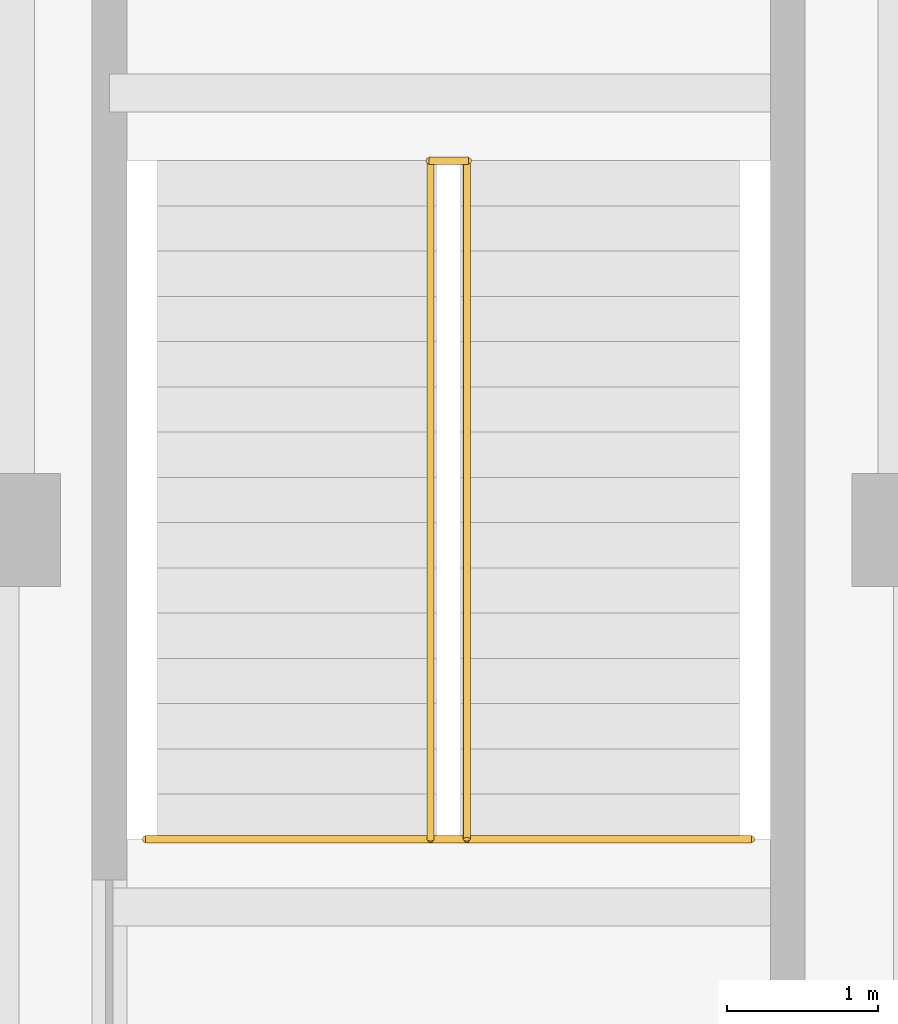
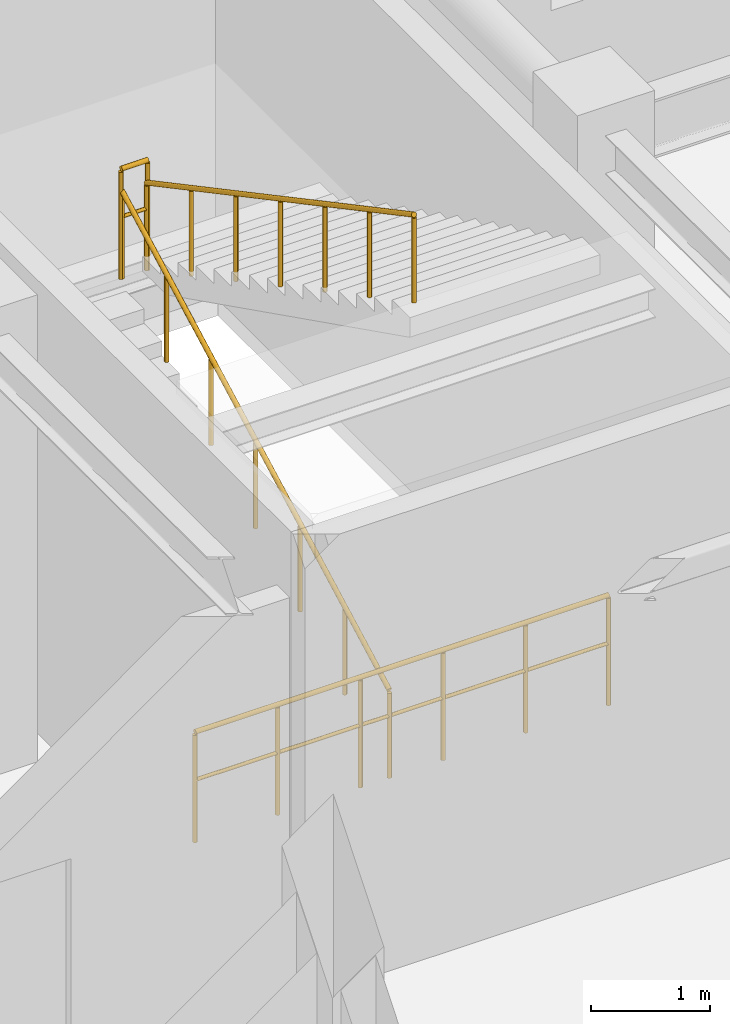
# One storey, part 75 of 76: 4 railings.
"""IFC4 building model written with IfcOpenShell, lengths in metres."""

import ifcopenshell
import ifcopenshell.guid

model = None  # the IFC model being written
_history = None  # IfcOwnerHistory: only IFC2X3 demands one
_inside = {}  # id of a spatial element -> (the spatial element, [elements in it])
_under = {}  # id of a project, library or spatial element -> (it, [spatial elements below it])
_declared = {}  # id of a project -> (the project, [libraries it declares])
_typed = {}  # id of a type object -> (the type object, [elements of that type])
_made_of = {}  # id of a material, layer set ... -> (it, [elements and type objects made of it])


def new_model(schema):
    """Start an empty IFC model of exactly this schema.

    Asked for "IFC4X3", IfcOpenShell would pick the latest addendum, in which some entities
    have other attributes; the version numbers below select the first issue.
    IFC2X3 requires an IfcOwnerHistory on every rooted entity: one is made here for all.
    """
    global model, _history
    if schema == "IFC4X3":
        model = ifcopenshell.file(schema_version=(4, 3, 0, 0))
    else:
        model = ifcopenshell.file(schema=schema)
    _inside.clear()
    _under.clear()
    _declared.clear()
    _typed.clear()
    _made_of.clear()
    _history = None
    if model.schema == "IFC2X3":
        org = make("IfcOrganization", Name="unknown")
        user = make(
            "IfcPersonAndOrganization",
            ThePerson=make("IfcPerson", FamilyName="unknown"),
            TheOrganization=org,
        )
        app = make(
            "IfcApplication",
            ApplicationDeveloper=org,
            Version="unknown",
            ApplicationFullName="unknown",
            ApplicationIdentifier="unknown",
        )
        _history = make(
            "IfcOwnerHistory",
            OwningUser=user,
            OwningApplication=app,
            ChangeAction="ADDED",
            CreationDate=0,
        )
    return model


def make(cls, **values):
    """One entity of the class cls with the attributes given. An attribute that is None is left unset."""
    return model.create_entity(
        cls, **{name: value for name, value in values.items() if value is not None}
    )


def rooted(cls, **values):
    """An entity with a GlobalId (a new one), such as an element, a storey or a relation."""
    return make(cls, GlobalId=ifcopenshell.guid.new(), OwnerHistory=_history, **values)


def si_unit(unit_type, name, prefix=None):
    """IfcSIUnit, for example si_unit("LENGTHUNIT", "METRE", prefix="MILLI")."""
    return make("IfcSIUnit", UnitType=unit_type, Prefix=prefix, Name=name)


def assignment(units):
    """IfcUnitAssignment: the units of a project."""
    return None if units is None else make("IfcUnitAssignment", Units=units)


def point(xyz):
    """IfcCartesianPoint."""
    return None if xyz is None else make("IfcCartesianPoint", Coordinates=xyz)


def direction(xyz):
    """IfcDirection."""
    return None if xyz is None else make("IfcDirection", DirectionRatios=xyz)


def frame(location, z_axis=None, x_axis=None):
    """IfcAxis2Placement3D, a coordinate frame: its origin and axes. An axis left out is left unset."""
    return make(
        "IfcAxis2Placement3D",
        Location=point(location),
        Axis=direction(z_axis),
        RefDirection=direction(x_axis),
    )


def frame_2d(location, x_axis=None):
    """IfcAxis2Placement2D, a coordinate frame in the plane: its origin and x axis."""
    return make(
        "IfcAxis2Placement2D", Location=point(location), RefDirection=direction(x_axis)
    )


def origin():
    """The frame at (0, 0, 0) with its axes left unset."""
    return frame((0.0, 0.0, 0.0))


def origin_2d():
    """The frame at (0, 0) in the plane with its x axis left unset."""
    return frame_2d((0.0, 0.0))


def place(relative_to, where):
    """IfcLocalPlacement: puts the frame where relative to a parent placement (None: the world)."""
    return make(
        "IfcLocalPlacement", PlacementRelTo=relative_to, RelativePlacement=where
    )


def context(
    kind, dimensions, precision=None, world=None, true_north=None, identifier=None
):
    """IfcGeometricRepresentationContext, for example the 3D "Model" context."""
    return make(
        "IfcGeometricRepresentationContext",
        ContextIdentifier=identifier,
        ContextType=kind,
        CoordinateSpaceDimension=dimensions,
        Precision=precision,
        WorldCoordinateSystem=world,
        TrueNorth=true_north,
    )


def subcontext(parent, identifier, kind, view, scale=None):
    """IfcGeometricRepresentationSubContext, for example "Body" below "Model"."""
    return make(
        "IfcGeometricRepresentationSubContext",
        ContextIdentifier=identifier,
        ContextType=kind,
        ParentContext=parent,
        TargetScale=scale,
        TargetView=view,
    )


def project(units=None, contexts=None):
    """IfcProject with its units and contexts."""
    return rooted(
        "IfcProject",
        Name="project",
        RepresentationContexts=contexts,
        UnitsInContext=assignment(units),
    )


def spatial(cls, under=None, at=None, **own):
    """A site, building, storey or space (cls), placed at a placement, below another one or the project."""
    s = rooted(cls, ObjectPlacement=at, **own)
    if under is not None:
        _under.setdefault(under.id(), (under, []))[1].append(s)
    return s


def profile(cls, at=None, kind="AREA", **sizes):
    """A parametric profile (cls). Its sizes go by their IFC names, for example OverallWidth=200.0."""
    return make(cls, ProfileType=kind, Position=at, **sizes)


def circle(**sizes):
    """IfcCircleProfileDef."""
    return profile("IfcCircleProfileDef", **sizes)


def extrude(swept, where, along, depth):
    """IfcExtrudedAreaSolid: the profile swept, set in the frame where, extruded along a direction by depth."""
    return make(
        "IfcExtrudedAreaSolid",
        SweptArea=swept,
        Position=where,
        ExtrudedDirection=direction(along),
        Depth=depth,
    )


def shape(context_of_items, identifier, shape_type, items):
    """IfcShapeRepresentation: the items that make up one representation, for example the "Body"."""
    return make(
        "IfcShapeRepresentation",
        ContextOfItems=context_of_items,
        RepresentationIdentifier=identifier,
        RepresentationType=shape_type,
        Items=items,
    )


def material(Name=None, Category=None):
    """IfcMaterial."""
    return make("IfcMaterial", Name=Name, Category=Category)


def made_of(thing, what):
    """Note that an element or type object is made of a material, layer set ...; save() writes the relation."""
    if what is not None:
        _made_of.setdefault(what.id(), (what, []))[1].append(thing)
    return thing


def type_object(cls, material=None, **own):
    """A type object (cls), such as IfcWallType, which elements share."""
    return made_of(rooted(cls, **own), material)


def element(
    cls,
    number,
    at=None,
    inside=None,
    cuts=None,
    type_object=None,
    material=None,
    context=None,
    identifier="Body",
    shape_type=None,
    held_by="IfcProductDefinitionShape",
    body=None,
    shapes=None,
    **own,
):
    """One element of the class cls, such as IfcWall. Its Tag is "e" and its number.

    at: its placement. inside: the storey or other place that contains it. cuts: it is an
    opening in that element (IfcRelVoidsElement). A single representation is given by context,
    identifier, shape_type and body (its items); several are given by shapes. held_by: the class
    of the entity that holds the representations. save() writes the other relations.
    """
    e = rooted(cls, Tag="e%d" % number, ObjectPlacement=at, **own)
    if body is not None:
        shapes = [shape(context, identifier, shape_type, body)]
    if shapes is not None:
        e.Representation = make(held_by, Representations=shapes)
    if inside is not None:
        _inside.setdefault(inside.id(), (inside, []))[1].append(e)
    if cuts is not None:
        rooted(
            "IfcRelVoidsElement", RelatingBuildingElement=cuts, RelatedOpeningElement=e
        )
    if type_object is not None:
        _typed.setdefault(type_object.id(), (type_object, []))[1].append(e)
    return made_of(e, material)


def aggregate(whole, parts):
    """IfcRelAggregates: a whole, such as a stair, and the parts it consists of."""
    return rooted("IfcRelAggregates", RelatingObject=whole, RelatedObjects=parts)


def save(model, path):
    """Write the relations noted so far, then the file.

    IfcRelAggregates (storeys below a building ...), IfcRelContainedInSpatialStructure (elements
    in a storey), IfcRelDefinesByType, IfcRelAssociatesMaterial and IfcRelDeclares: one each for
    every whole, place, type object, material and project.
    """
    for whole, parts in _under.values():
        aggregate(whole, parts)
    for where, things in _inside.values():
        rooted(
            "IfcRelContainedInSpatialStructure",
            RelatedElements=things,
            RelatingStructure=where,
        )
    for kind, things in _typed.values():
        rooted("IfcRelDefinesByType", RelatedObjects=things, RelatingType=kind)
    for what, things in _made_of.values():
        rooted("IfcRelAssociatesMaterial", RelatedObjects=things, RelatingMaterial=what)
    for by, libraries in _declared.values():
        rooted("IfcRelDeclares", RelatingContext=by, RelatedDefinitions=libraries)
    model.write(path)


model = new_model("IFC4")

# Units and contexts
model_context = context("Model", 3, precision=1e-05, world=origin(), true_north=direction((0.0, 1.0)))
body_context = subcontext(model_context, "Body", "Model", "MODEL_VIEW")
ifc_project = project(units=[si_unit("LENGTHUNIT", "METRE"), si_unit("AREAUNIT", "SQUARE_METRE"), si_unit("VOLUMEUNIT", "CUBIC_METRE"), si_unit("PLANEANGLEUNIT", "RADIAN"), si_unit("MASSUNIT", "GRAM", prefix="KILO")], contexts=[model_context])

# Site, building, storey
site_placement = place(None, origin())
site = spatial("IfcSite", under=ifc_project, at=site_placement, CompositionType="ELEMENT")
building_placement = place(site_placement, origin())
building = spatial("IfcBuilding", under=site, at=building_placement, Name="Varnakota Square Police Headquarters", CompositionType="ELEMENT")
storey_placement = place(building_placement, origin())
storey = spatial("IfcBuildingStorey", under=building, at=storey_placement, Name="L00", CompositionType="ELEMENT", Elevation=0.0)

# Railings
ifc_material_1 = material(Name="Brushed Stainless Steel Tubular Handrail", Category="steel")
railing_type_1 = type_object("IfcRailingType", Name="RL-HND-920", PredefinedType="HANDRAIL", material=ifc_material_1)
railing_1_placement = place(storey_placement, frame((134.830078125, 102.949951171875, 0.0)))
element("IfcRailing", 1, at=railing_1_placement, inside=storey, type_object=railing_type_1, Name="Stair flight handrail HR-L00-085", PredefinedType="HANDRAIL", context=body_context, shape_type="SweptSolid", body=[
    extrude(circle(Radius=0.02392578125, at=origin_2d()), frame((0.0, 0.0, 0.89599609375), z_axis=(0.0, 0.882392687573, 0.470513703219), x_axis=(-1.0, 0.0, 0.0)), (0.0, 0.0, 1.0), 5.1005859375),
    extrude(circle(Radius=0.02099609375, at=origin_2d()), origin(), (0.0, 0.0, 1.0), 0.871826171875),
    extrude(circle(Radius=0.02099609375, at=origin_2d()), frame((0.0, 0.75, 0.39990234375)), (0.0, 0.0, 1.0), 0.871826171875),
    extrude(circle(Radius=0.02099609375, at=origin_2d()), frame((0.0, 1.500244140625, 0.800048828125)), (0.0, 0.0, 1.0), 0.871826171875),
    extrude(circle(Radius=0.02099609375, at=origin_2d()), frame((0.0, 2.25048828125, 1.199951171875)), (0.0, 0.0, 1.0), 0.871826171875),
    extrude(circle(Radius=0.02099609375, at=origin_2d()), frame((0.0, 3.00048828125, 1.599853515625)), (0.0, 0.0, 1.0), 0.871826171875),
    extrude(circle(Radius=0.02099609375, at=origin_2d()), frame((0.0, 3.75048828125, 2.0)), (0.0, 0.0, 1.0), 0.871826171875),
    extrude(circle(Radius=0.02099609375, at=origin_2d()), frame((0.0, 4.500732421875, 2.39990234375)), (0.0, 0.0, 1.0), 0.871826171875),
])
railing_2_placement = place(storey_placement, frame((135.070068359375, 107.45068359375, 2.39990234375)))
element("IfcRailing", 2, at=railing_2_placement, inside=storey, type_object=railing_type_1, Name="Stair flight handrail HR-L00-086", PredefinedType="HANDRAIL", context=body_context, shape_type="SweptSolid", body=[
    extrude(circle(Radius=0.02392578125, at=origin_2d()), frame((0.0, 0.0, 0.89599609375), z_axis=(0.0, -0.882372814714, 0.470550970516), x_axis=(1.0, 0.0, 0.0)), (0.0, 0.0, 1.0), 5.100830078125),
    extrude(circle(Radius=0.02099609375, at=origin_2d()), origin(), (0.0, 0.0, 1.0), 0.871826171875),
    extrude(circle(Radius=0.02099609375, at=origin_2d()), frame((0.0, -0.75, 0.39990234375)), (0.0, 0.0, 1.0), 0.871826171875),
    extrude(circle(Radius=0.02099609375, at=origin_2d()), frame((0.0, -1.500244140625, 0.800048828125)), (0.0, 0.0, 1.0), 0.871826171875),
    extrude(circle(Radius=0.02099609375, at=origin_2d()), frame((0.0, -2.25048828125, 1.2001953125)), (0.0, 0.0, 1.0), 0.871826171875),
    extrude(circle(Radius=0.02099609375, at=origin_2d()), frame((0.0, -3.00048828125, 1.60009765625)), (0.0, 0.0, 1.0), 0.871826171875),
    extrude(circle(Radius=0.02099609375, at=origin_2d()), frame((0.0, -3.75048828125, 2.0)), (0.0, 0.0, 1.0), 0.871826171875),
    extrude(circle(Radius=0.02099609375, at=origin_2d()), frame((0.0, -4.500732421875, 2.400146484375)), (0.0, 0.0, 1.0), 0.871826171875),
])
ifc_material_2 = material(Name="Laminated Glass and Stainless Steel Balustrade", Category="steel")
railing_type_2 = type_object("IfcRailingType", Name="RL-INT-1150", PredefinedType="BALUSTRADE", material=ifc_material_2)
railing_3_placement = place(storey_placement, frame((132.93994140625, 102.949951171875, 0.0)))
element("IfcRailing", 3, at=railing_3_placement, inside=storey, type_object=railing_type_2, Name="Stair well safety guard C8 L00", PredefinedType="BALUSTRADE", context=body_context, shape_type="SweptSolid", body=[
    extrude(circle(Radius=0.02392578125, at=origin_2d()), frame((0.0, 0.0, 1.1259765625), z_axis=(1.0, 0.0, 0.0), x_axis=(0.0, 1.0, 0.0)), (0.0, 0.0, 1.0), 4.02001953125),
    extrude(circle(Radius=0.01806640625, at=origin_2d()), frame((0.0, 0.0, 0.63232421875), z_axis=(1.0, 0.0, 0.0), x_axis=(0.0, 1.0, 0.0)), (0.0, 0.0, 1.0), 4.02001953125),
    extrude(circle(Radius=0.02099609375, at=origin_2d()), origin(), (0.0, 0.0, 1.0), 1.101806640625),
    extrude(circle(Radius=0.02099609375, at=origin_2d()), frame((0.803955078125, 0.0, 0.0)), (0.0, 0.0, 1.0), 1.101806640625),
    extrude(circle(Radius=0.02099609375, at=origin_2d()), frame((1.60791015625, 0.0, 0.0)), (0.0, 0.0, 1.0), 1.101806640625),
    extrude(circle(Radius=0.02099609375, at=origin_2d()), frame((2.412109375, 0.0, 0.0)), (0.0, 0.0, 1.0), 1.101806640625),
    extrude(circle(Radius=0.02099609375, at=origin_2d()), frame((3.216064453125, 0.0, 0.0)), (0.0, 0.0, 1.0), 1.101806640625),
    extrude(circle(Radius=0.02099609375, at=origin_2d()), frame((4.02001953125, 0.0, 0.0)), (0.0, 0.0, 1.0), 1.101806640625),
])
railing_4_placement = place(storey_placement, frame((134.820068359375, 107.45068359375, 2.39990234375)))
element("IfcRailing", 4, at=railing_4_placement, inside=storey, type_object=railing_type_2, Name="Half-landing well guard C8 L00", PredefinedType="BALUSTRADE", context=body_context, shape_type="SweptSolid", body=[
    extrude(circle(Radius=0.02392578125, at=origin_2d()), frame((0.0, 0.0, 1.1259765625), z_axis=(1.0, 0.0, 0.0), x_axis=(0.0, 1.0, 0.0)), (0.0, 0.0, 1.0), 0.260009765625),
    extrude(circle(Radius=0.01806640625, at=origin_2d()), frame((0.0, 0.0, 0.63232421875), z_axis=(1.0, 0.0, 0.0), x_axis=(0.0, 1.0, 0.0)), (0.0, 0.0, 1.0), 0.260009765625),
    extrude(circle(Radius=0.02099609375, at=origin_2d()), origin(), (0.0, 0.0, 1.0), 1.101806640625),
    extrude(circle(Radius=0.02099609375, at=origin_2d()), frame((0.260009765625, 0.0, 0.0)), (0.0, 0.0, 1.0), 1.101806640625),
])

save(model, "model.ifc")
